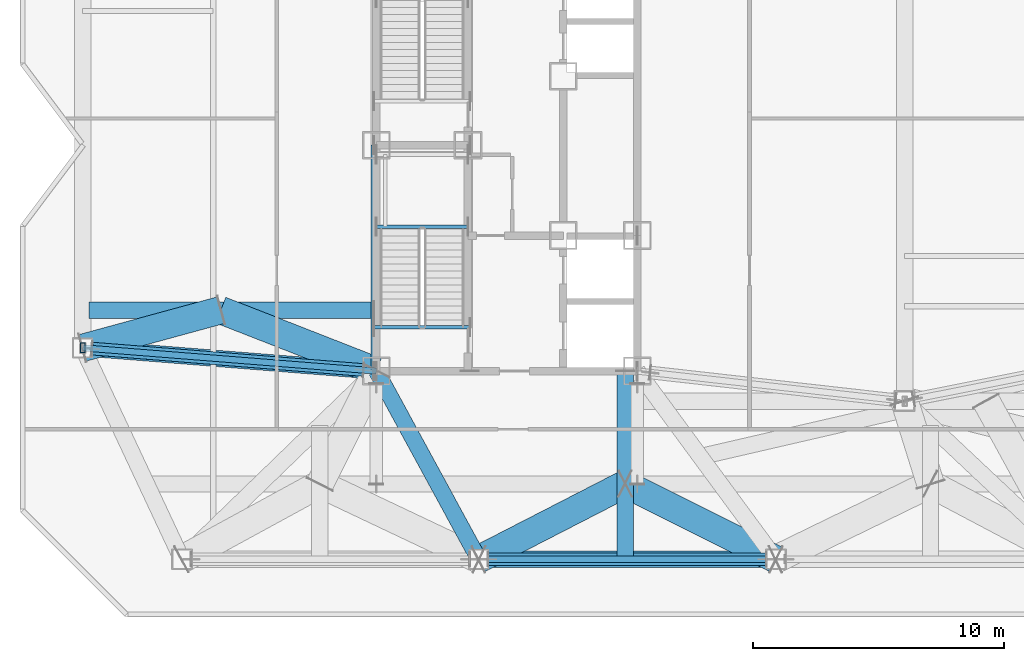
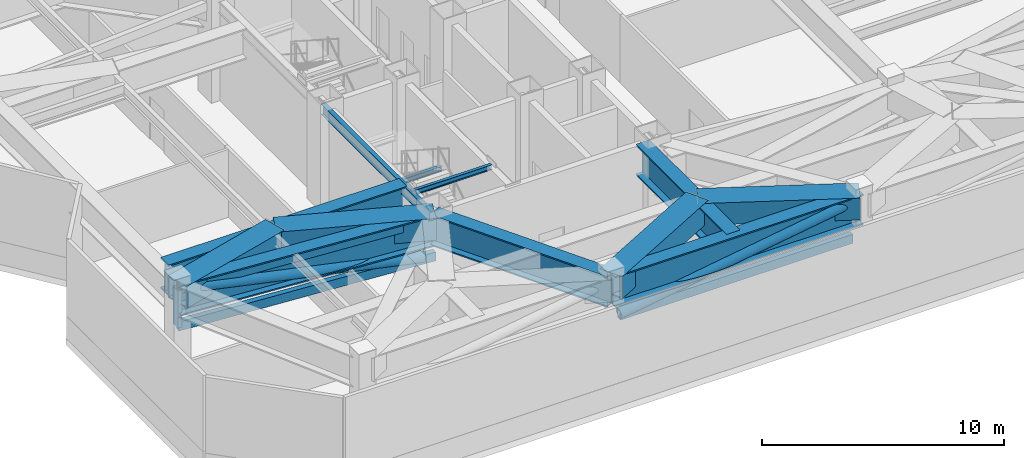
# One storey, part 2 of 19: 12 beams, 6 members.
"""IFC4 building model written with IfcOpenShell, lengths in metres."""

from ifc_helpers import new_model, si_unit, direction, frame, origin, origin_2d, place, context, subcontext, project, spatial, hollow_rectangle, hollow_circle, i_section, extrude, material, material_profile, profile_set, type_object, element, save


model = new_model("IFC4")

# Units and contexts
model_context = context("Model", 3, precision=1e-05, world=origin(), true_north=direction((0.0, 1.0)))
body_context = subcontext(model_context, "Body", "Model", "MODEL_VIEW")
ifc_project = project(units=[si_unit("LENGTHUNIT", "METRE"), si_unit("AREAUNIT", "SQUARE_METRE"), si_unit("VOLUMEUNIT", "CUBIC_METRE"), si_unit("PLANEANGLEUNIT", "RADIAN"), si_unit("MASSUNIT", "GRAM", prefix="KILO")], contexts=[model_context])

# Site, building, storey
site_placement = place(None, origin())
site = spatial("IfcSite", under=ifc_project, at=site_placement, CompositionType="ELEMENT")
building_placement = place(site_placement, origin())
building = spatial("IfcBuilding", under=site, at=building_placement, Name="Khamvora Tower", CompositionType="ELEMENT")
storey_placement = place(building_placement, frame((0.0, 0.0, 211.800048828125)))
storey = spatial("IfcBuildingStorey", under=building, at=storey_placement, Name="L54", CompositionType="ELEMENT", Elevation=211.800048828125)

# Beams
ifc_material_1 = material(Name="Steel S355", Category="steel")
ifc_material_profile_1 = material_profile(ifc_material_1, i_section(OverallWidth=0.14697265625, OverallDepth=0.261962890625, WebThickness=0.007080078125, FlangeThickness=0.010986328125, FilletRadius=0.008056640625, at=origin_2d()), Name="W250x39")
ifc_profile_set_1 = profile_set([ifc_material_profile_1], Name="Steel S355")
beam_type_1 = type_object("IfcBeamType", Name="BM-LN-W250x39", PredefinedType="LINTEL", material=ifc_profile_set_1)
beam_1_placement = place(storey_placement, frame((29.0, 24.7548828125, 2.368896484375), z_axis=(1.0, 0.0, 0.0), x_axis=(0.0, 1.0, 0.0)))
element("IfcBeam", 1, at=beam_1_placement, inside=storey, type_object=beam_type_1, Name="L54 ST-01 half-landing support beam 1.1", PredefinedType="LINTEL", context=body_context, shape_type="SweptSolid", body=[
    extrude(i_section(OverallWidth=0.14697265625, OverallDepth=0.261962890625, WebThickness=0.007080078125, FlangeThickness=0.010986328125, FilletRadius=0.008056640625, at=origin_2d()), origin(), (0.0, 0.0, 1.0), 3.64990234375),
])
beam_2_placement = place(storey_placement, frame((28.89990234375, 20.75, 4.85400390625), z_axis=(1.0, 0.0, 0.0), x_axis=(0.0, 1.0, 0.0)))
element("IfcBeam", 2, at=beam_2_placement, inside=storey, type_object=beam_type_1, Name="L54 exit stair ST-01 landing trimmer beam", PredefinedType="LINTEL", context=body_context, shape_type="SweptSolid", body=[
    extrude(i_section(OverallWidth=0.14697265625, OverallDepth=0.261962890625, WebThickness=0.007080078125, FlangeThickness=0.010986328125, FilletRadius=0.008056640625, at=origin_2d()), origin(), (0.0, 0.0, 1.0), 3.830078125),
])
ifc_material_profile_2 = material_profile(ifc_material_1, i_section(OverallWidth=0.208984375, OverallDepth=0.532958984375, WebThickness=0.010009765625, FlangeThickness=0.01611328125, FilletRadius=0.013916015625, at=origin_2d()), Name="W530x92")
ifc_profile_set_2 = profile_set([ifc_material_profile_2], Name="Steel S355")
beam_type_2 = type_object("IfcBeamType", Name="BM-SP-W530x92", PredefinedType="SPANDREL", material=ifc_profile_set_2)
beam_3_placement = place(storey_placement, frame((28.89990234375, 19.0, 4.712890625), z_axis=(0.0, 1.0, 0.0), x_axis=(-1.0, 0.0, 0.0)))
element("IfcBeam", 3, at=beam_3_placement, inside=storey, type_object=beam_type_2, Name="L54 core spine girder WS", PredefinedType="SPANDREL", context=body_context, shape_type="SweptSolid", body=[
    extrude(i_section(OverallWidth=0.208984375, OverallDepth=0.532958984375, WebThickness=0.010009765625, FlangeThickness=0.01611328125, FilletRadius=0.013916015625, at=origin_2d()), origin(), (0.0, 0.0, 1.0), 9.0),
])
ifc_material_2 = material(Name="Steel S460", Category="steel")
ifc_material_profile_3 = material_profile(ifc_material_2, hollow_rectangle(XDim=1.10009765625, YDim=1.10009765625, WallThickness=0.054931640625, at=origin_2d()), Name="BOX1100x1100x55")
ifc_profile_set_3 = profile_set([ifc_material_profile_3], Name="Steel S460")
beam_type_3 = type_object("IfcBeamType", Name="BM-TG-BOX1100", PredefinedType="BEAM", material=ifc_profile_set_3)
beam_4_placement = place(storey_placement, frame((33.0830078125, 11.5, 4.429931640625), z_axis=(0.889308559597, 0.457307648993, 0.0), x_axis=(-0.457307648993, 0.889308559597, 0.0)))
element("IfcBeam", 4, at=beam_4_placement, inside=storey, type_object=beam_type_3, Name="L54 Zone Transfer Truss frame transfer link S2.2", PredefinedType="BEAM", context=body_context, shape_type="SweptSolid", body=[
    extrude(hollow_rectangle(XDim=1.10009765625, YDim=1.10009765625, WallThickness=0.054931640625, at=origin_2d()), origin(), (0.0, 0.0, 1.0), 6.56005859375),
])
beam_5_placement = place(storey_placement, frame((44.9169921875, 11.5, 4.429931640625), z_axis=(-0.894427191, 0.4472135955, 0.0), x_axis=(-0.4472135955, -0.894427191, 0.0)))
element("IfcBeam", 5, at=beam_5_placement, inside=storey, type_object=beam_type_3, Name="L54 Zone Transfer Truss frame transfer link S2.3", PredefinedType="BEAM", context=body_context, shape_type="SweptSolid", body=[
    extrude(hollow_rectangle(XDim=1.10009765625, YDim=1.10009765625, WallThickness=0.054931640625, at=origin_2d()), origin(), (0.0, 0.0, 1.0), 6.708251953125),
])
beam_6_placement = place(storey_placement, frame((17.300048828125, 19.925048828125, 4.429931640625), z_axis=(0.964763821238, 0.263117405792, 0.0), x_axis=(-0.263117405792, 0.964763821238, 0.0)))
element("IfcBeam", 6, at=beam_6_placement, inside=storey, type_object=beam_type_3, Name="L54 Zone Transfer Truss frame transfer link W1.1", PredefinedType="BEAM", context=body_context, shape_type="SweptSolid", body=[
    extrude(hollow_rectangle(XDim=1.10009765625, YDim=1.10009765625, WallThickness=0.054931640625, at=origin_2d()), origin(), (0.0, 0.0, 1.0), 5.700927734375),
])
beam_7_placement = place(storey_placement, frame((29.0, 19.0, 4.429931640625), z_axis=(-0.931294712743, 0.36426660294, 0.0), x_axis=(-0.36426660294, -0.931294712743, 0.0)))
element("IfcBeam", 7, at=beam_7_placement, inside=storey, type_object=beam_type_3, Name="L54 Zone Transfer Truss frame transfer link W1.2", PredefinedType="BEAM", context=body_context, shape_type="SweptSolid", body=[
    extrude(hollow_rectangle(XDim=1.10009765625, YDim=1.10009765625, WallThickness=0.054931640625, at=origin_2d()), origin(), (0.0, 0.0, 1.0), 6.6572265625),
])
ifc_material_profile_4 = material_profile(ifc_material_2, i_section(OverallWidth=0.64990234375, OverallDepth=1.550048828125, WebThickness=0.0400390625, FlangeThickness=0.06494140625, at=origin_2d()), Name="PG1550x650x40x65")
ifc_profile_set_4 = profile_set([ifc_material_profile_4], Name="Steel S460")
beam_type_4 = type_object("IfcBeamType", Name="BM-TG-PG1800", PredefinedType="BEAM", material=ifc_profile_set_4)
beam_8_placement = place(storey_placement, frame((33.0830078125, 11.5, 4.204833984375), z_axis=(1.0, 0.0, 0.0), x_axis=(0.0, 1.0, 0.0)))
element("IfcBeam", 8, at=beam_8_placement, inside=storey, type_object=beam_type_4, Name="L54 perimeter spandrel beam S2-S3", PredefinedType="BEAM", context=body_context, shape_type="SweptSolid", body=[
    extrude(i_section(OverallWidth=0.64990234375, OverallDepth=1.550048828125, WebThickness=0.0400390625, FlangeThickness=0.06494140625, at=origin_2d()), origin(), (0.0, 0.0, 1.0), 11.833984375),
])
beam_9_placement = place(storey_placement, frame((29.0, 19.0, 4.204833984375), z_axis=(0.478138862063, -0.878284252725, 0.0), x_axis=(0.878284252725, 0.478138862063, 0.0)))
element("IfcBeam", 9, at=beam_9_placement, inside=storey, type_object=beam_type_4, Name="L54 primary floor girder S2", PredefinedType="BEAM", context=body_context, shape_type="SweptSolid", body=[
    extrude(i_section(OverallWidth=0.64990234375, OverallDepth=1.550048828125, WebThickness=0.0400390625, FlangeThickness=0.06494140625, at=origin_2d()), origin(), (0.0, 0.0, 1.0), 8.539306640625),
])
beam_10_placement = place(storey_placement, frame((29.0, 19.0, 4.204833984375), z_axis=(-0.996888993668, 0.078818362728, 0.0), x_axis=(-0.078818362728, -0.996888993668, 0.0)))
element("IfcBeam", 10, at=beam_10_placement, inside=storey, type_object=beam_type_4, Name="L54 primary floor girder W1", PredefinedType="BEAM", context=body_context, shape_type="SweptSolid", body=[
    extrude(i_section(OverallWidth=0.64990234375, OverallDepth=1.550048828125, WebThickness=0.0400390625, FlangeThickness=0.06494140625, at=origin_2d()), origin(), (0.0, 0.0, 1.0), 11.736572265625),
])
beam_11_placement = place(storey_placement, frame((38.9169921875, 11.5, 4.204833984375), z_axis=(0.0, 1.0, 0.0), x_axis=(-1.0, 0.0, 0.0)))
element("IfcBeam", 11, at=beam_11_placement, inside=storey, type_object=beam_type_4, Name="L54 Zone Transfer Truss Box Girder S2", PredefinedType="BEAM", context=body_context, shape_type="SweptSolid", body=[
    extrude(i_section(OverallWidth=0.64990234375, OverallDepth=1.550048828125, WebThickness=0.0400390625, FlangeThickness=0.06494140625, at=origin_2d()), origin(), (0.0, 0.0, 1.0), 7.5),
])
beam_12_placement = place(storey_placement, frame((17.5400390625, 21.425048828125, 4.204833984375), z_axis=(1.0, 0.0, 0.0), x_axis=(0.0, 1.0, 0.0)))
element("IfcBeam", 12, at=beam_12_placement, inside=storey, type_object=beam_type_4, Name="L54 Zone Transfer Truss Box Girder W1", PredefinedType="BEAM", context=body_context, shape_type="SweptSolid", body=[
    extrude(i_section(OverallWidth=0.64990234375, OverallDepth=1.550048828125, WebThickness=0.0400390625, FlangeThickness=0.06494140625, at=origin_2d()), origin(), (0.0, 0.0, 1.0), 11.35986328125),
])

# Members
ifc_material_profile_5 = material_profile(ifc_material_2, hollow_circle(Radius=0.25390625, WallThickness=0.02490234375, at=origin_2d()), Name="CHS508x25")
ifc_profile_set_5 = profile_set([ifc_material_profile_5], Name="Steel S460")
member_type_1 = type_object("IfcMemberType", Name="MEM-BR-CHS508", PredefinedType="BRACE", material=ifc_profile_set_5)
member_1_placement = place(storey_placement, frame((33.4580078125, 11.5, 2.81884765625), z_axis=(0.987734194999, 0.0, 0.156144676597), x_axis=(0.0, 1.0, 0.0)))
element("IfcMember", 13, at=member_1_placement, inside=storey, type_object=member_type_1, Name="L54 Perimeter Belt Truss Diagonal 1.2", PredefinedType="BRACE", context=body_context, shape_type="SweptSolid", body=[
    extrude(hollow_circle(Radius=0.25390625, WallThickness=0.02490234375, at=origin_2d()), origin(), (0.0, 0.0, 1.0), 11.2216796875),
])
ifc_material_profile_6 = material_profile(ifc_material_2, hollow_circle(Radius=0.25390625, WallThickness=0.02490234375, at=origin_2d()), Name="CHS508x25")
ifc_profile_set_6 = profile_set([ifc_material_profile_6], Name="Steel S460")
member_type_2 = type_object("IfcMemberType", Name="MEM-BR-CHS508I", PredefinedType="BRACE", material=ifc_profile_set_6)
member_2_placement = place(storey_placement, frame((28.47802734375, 19.041015625, 2.843017578125), z_axis=(-0.984468792252, 0.077817816539, 0.157370850256), x_axis=(-0.078799694086, -0.996890469516, 0.0)))
element("IfcMember", 14, at=member_2_placement, inside=storey, type_object=member_type_2, Name="L54 Outrigger Truss Web Diagonal 1", PredefinedType="BRACE", context=body_context, shape_type="SweptSolid", body=[
    extrude(hollow_circle(Radius=0.25390625, WallThickness=0.02490234375, at=origin_2d()), origin(), (0.0, 0.0, 1.0), 10.974365234375),
])
ifc_material_profile_7 = material_profile(ifc_material_2, hollow_rectangle(XDim=0.25, YDim=0.449951171875, WallThickness=0.01611328125, at=origin_2d()), Name="RHS450x250x16")
ifc_profile_set_7 = profile_set([ifc_material_profile_7], Name="Steel S460")
member_type_3 = type_object("IfcMemberType", Name="MEM-CH-RHS450", PredefinedType="CHORD", material=ifc_profile_set_7)
for number, where, z_axis, x_axis, name in (
    (15, (29.0, 19.0, 4.6298828125), (-0.996888993668, 0.078818362728, 0.0), (-0.078818362728, -0.996888993668, 0.0), "L54 Outrigger Truss Top Chord 1"),
    (16, (29.0, 19.0, 2.760009765625), (-0.996888993668, 0.078818362728, 0.0), (-0.078818362728, -0.996888993668, 0.0), "L54 Outrigger Truss Bottom Chord 1"),
):
    element("IfcMember", number, at=place(storey_placement, frame(where, z_axis=z_axis, x_axis=x_axis)), inside=storey, type_object=member_type_3, Name=name, PredefinedType="CHORD", context=body_context, shape_type="SweptSolid", body=[
        extrude(hollow_rectangle(XDim=0.25, YDim=0.449951171875, WallThickness=0.01611328125, at=origin_2d()), origin(), (0.0, 0.0, 1.0), 11.736572265625),
    ])
member_3_placement = place(storey_placement, frame((33.462890625, 11.5, 2.760009765625), z_axis=(1.0, 0.0, 0.0), x_axis=(0.0, 1.0, 0.0)))
element("IfcMember", 17, at=member_3_placement, inside=storey, type_object=member_type_3, Name="L54 Perimeter Belt Truss Bottom Chord 1.2", PredefinedType="CHORD", context=body_context, shape_type="SweptSolid", body=[
    extrude(hollow_rectangle(XDim=0.25, YDim=0.449951171875, WallThickness=0.01611328125, at=origin_2d()), origin(), (0.0, 0.0, 1.0), 11.07421875),
])
ifc_material_profile_8 = material_profile(ifc_material_1, hollow_rectangle(XDim=0.199951171875, YDim=0.39990234375, WallThickness=0.01611328125, at=origin_2d()), Name="RHS400x200x16")
ifc_profile_set_8 = profile_set([ifc_material_profile_8], Name="Steel S355")
member_type_4 = type_object("IfcMemberType", Name="MEM-PS-RHS400", PredefinedType="POST", material=ifc_profile_set_8)
member_4_placement = place(storey_placement, frame((17.300048828125, 19.925048828125, 2.760009765625), z_axis=(0.0, 0.0, 1.0), x_axis=(1.0, 0.0, 0.0)))
element("IfcMember", 18, at=member_4_placement, inside=storey, type_object=member_type_4, Name="L54 Outrigger Truss Post 1", PredefinedType="POST", context=body_context, shape_type="SweptSolid", body=[
    extrude(hollow_rectangle(XDim=0.199951171875, YDim=0.39990234375, WallThickness=0.01611328125, at=origin_2d()), origin(), (0.0, 0.0, 1.0), 1.869873046875),
])

save(model, "model.ifc")
